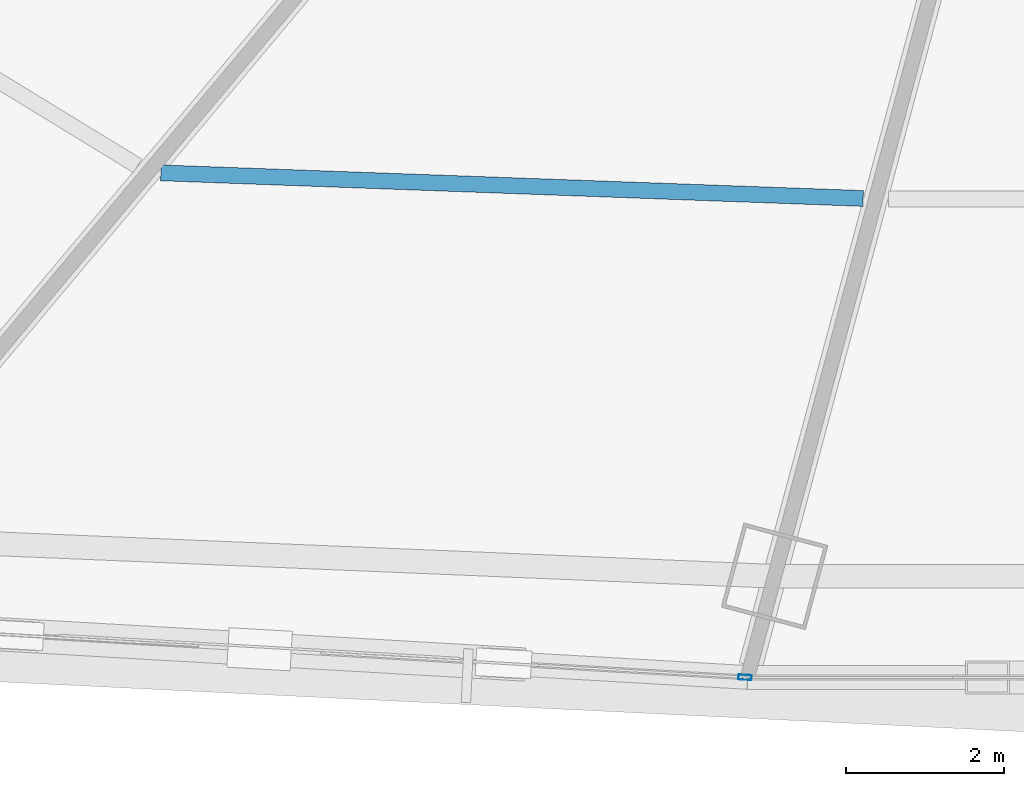
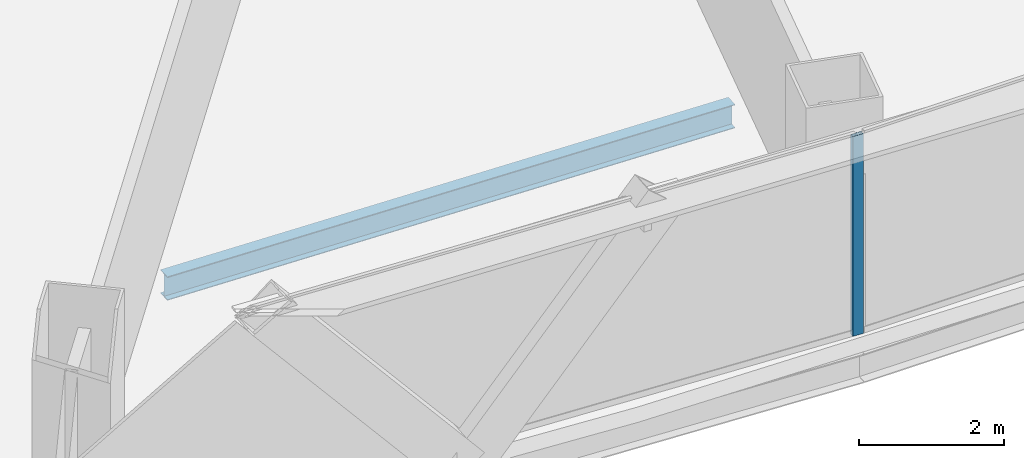
# One storey, part 8 of 37: 1 beam, 1 member, 1 element without a shape of its own.
"""IFC4 building model written with IfcOpenShell, lengths in metres."""

from ifc_helpers import new_model, si_unit, direction, frame, origin, origin_2d, place, context, subcontext, project, spatial, hollow_rectangle, i_section, extrude, source, transform, mapped, material, layer, layer_set, material_profile, profile_set, type_object, element, aggregate, save


model = new_model("IFC4")

# Units and contexts
model_context = context("Model", 3, precision=1e-05, world=origin(), true_north=direction((0.0, 1.0)))
body_context = subcontext(model_context, "Body", "Model", "MODEL_VIEW")
ifc_project = project(units=[si_unit("LENGTHUNIT", "METRE"), si_unit("AREAUNIT", "SQUARE_METRE"), si_unit("VOLUMEUNIT", "CUBIC_METRE"), si_unit("PLANEANGLEUNIT", "RADIAN"), si_unit("MASSUNIT", "GRAM", prefix="KILO"), si_unit("THERMODYNAMICTEMPERATUREUNIT", "KELVIN"), si_unit("POWERUNIT", "WATT")], contexts=[model_context])

# Site, building, storey
site_placement = place(None, origin())
site = spatial("IfcSite", under=ifc_project, at=site_placement, CompositionType="ELEMENT")
building_placement = place(site_placement, origin())
building = spatial("IfcBuilding", under=site, at=building_placement, Name="Yunzhuo Pagoda Commons", CompositionType="ELEMENT")
storey_placement = place(building_placement, frame((0.0, 0.0, 55.81005859375)))
storey = spatial("IfcBuildingStorey", under=building, at=storey_placement, Name="L14", CompositionType="ELEMENT", Elevation=55.81005859375)

# Beam
ifc_material_1 = material(Name="Structural steel Q355B", Category="steel")
ifc_material_profile_1 = material_profile(ifc_material_1, i_section(OverallWidth=0.199951171875, OverallDepth=0.39990234375, WebThickness=0.008056640625, FlangeThickness=0.012939453125, at=origin_2d()), Name="Structural steel Q355B")
ifc_profile_set_1 = profile_set([ifc_material_profile_1], Name="Structural steel Q355B")
beam_type = type_object("IfcBeamType", Name="B-JS1 Joist HN 400x200x8x13", PredefinedType="JOIST", material=ifc_profile_set_1)
shared_shape_1 = source(origin(), body_context, "Body", "SweptSolid", [
    extrude(i_section(OverallWidth=0.199951171875, OverallDepth=0.39990234375, WebThickness=0.008056640625, FlangeThickness=0.012939453125, at=origin_2d()), origin(), (0.0, 0.0, 1.0), 8.876953125),
])
beam_placement = place(storey_placement, frame((34.527099609375, 17.448486328125, -0.4599609375), z_axis=(0.999335806416, -0.036440993601, 0.0), x_axis=(0.036440993601, 0.999335806416, 0.0)))
element("IfcBeam", 1, at=beam_placement, inside=storey, type_object=beam_type, Name="L14 composite ring joist 2.1", PredefinedType="JOIST", context=body_context, shape_type="MappedRepresentation", body=[
    mapped(shared_shape_1, transform((0.0, 0.0, 0.0), scale=1.0)),
])

# Curtain wall, member
ifc_material_2 = material(Name="Anodized aluminium 6063-T6", Category="aluminium")
ifc_layer = layer(ifc_material_2, 0.1650390625)
ifc_layer_set = layer_set([ifc_layer], Name="Anodized aluminium 6063-T6")
curtain_wall_type = type_object("IfcCurtainWallType", Name="CW-LOW Low-Zone Ribbon Curtain Wall", PredefinedType="NOTDEFINED", material=ifc_layer_set)
curtain_wall_placement = place(storey_placement, origin())
curtain_wall = element("IfcCurtainWall", 2, at=curtain_wall_placement, inside=storey, type_object=curtain_wall_type, Name="L14 curtain wall CW-L14-F1B2", PredefinedType="NOTDEFINED")
ifc_material_profile_2 = material_profile(ifc_material_2, hollow_rectangle(XDim=0.06494140625, YDim=0.1650390625, WallThickness=0.00390625, at=origin_2d()), Name="Anodized aluminium 6063-T6")
ifc_profile_set_2 = profile_set([ifc_material_profile_2], Name="Anodized aluminium 6063-T6")
member_type = type_object("IfcMemberType", Name="CW-LOW-M Mullion RHS 165x65x4", PredefinedType="MULLION", material=ifc_profile_set_2)
shared_shape_2 = source(origin(), body_context, "Body", "SweptSolid", [
    extrude(hollow_rectangle(XDim=0.06494140625, YDim=0.1650390625, WallThickness=0.00390625, at=origin_2d()), origin(), (0.0, 0.0, 1.0), 3.369873046875),
])
member_placement = place(storey_placement, frame((41.905029296875, 11.076416015625, 0.0), z_axis=(0.0, 0.0, 1.0), x_axis=(0.057664069997, 0.998336043139, 0.0)))
member = element("IfcMember", 3, at=member_placement, type_object=member_type, Name="CW mullion 2", PredefinedType="MULLION", context=body_context, shape_type="MappedRepresentation", body=[
    mapped(shared_shape_2, transform((0.0, 0.0, 0.0), scale=1.0)),
])
aggregate(curtain_wall, [member])

save(model, "model.ifc")
